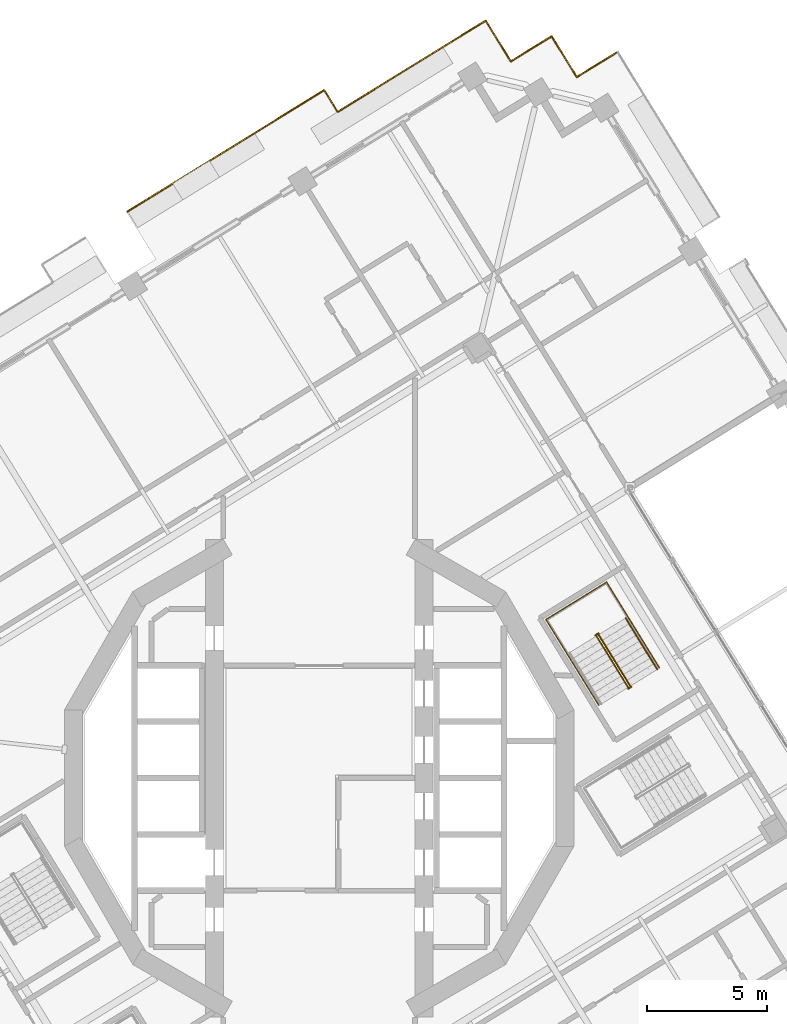
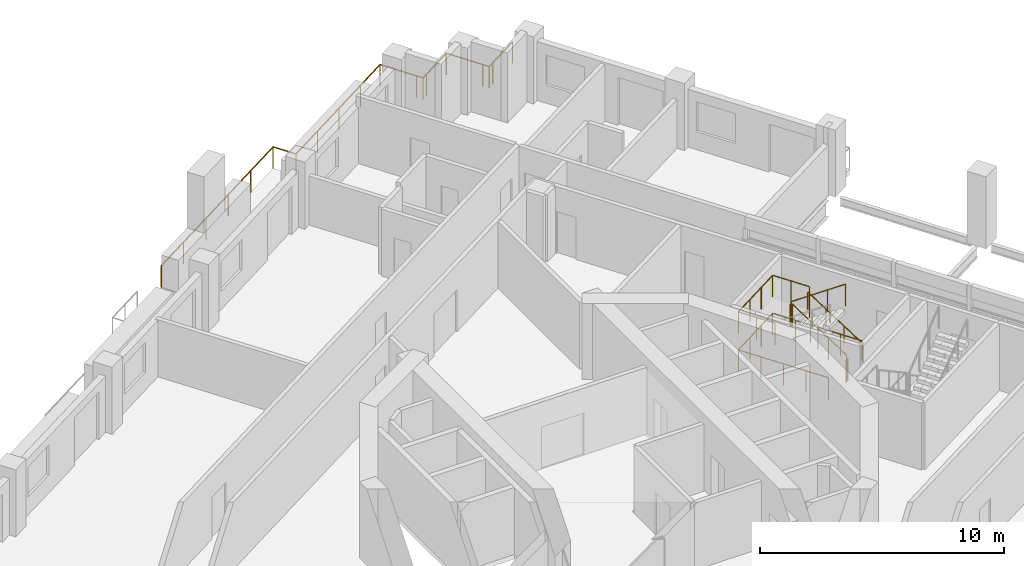
# One storey, part 19 of 21: 7 railings.
"""IFC4 building model written with IfcOpenShell, lengths in metres."""

import ifcopenshell
import ifcopenshell.guid

model = None  # the IFC model being written
_history = None  # IfcOwnerHistory: only IFC2X3 demands one
_inside = {}  # id of a spatial element -> (the spatial element, [elements in it])
_under = {}  # id of a project, library or spatial element -> (it, [spatial elements below it])
_declared = {}  # id of a project -> (the project, [libraries it declares])
_typed = {}  # id of a type object -> (the type object, [elements of that type])
_made_of = {}  # id of a material, layer set ... -> (it, [elements and type objects made of it])


def new_model(schema):
    """Start an empty IFC model of exactly this schema.

    Asked for "IFC4X3", IfcOpenShell would pick the latest addendum, in which some entities
    have other attributes; the version numbers below select the first issue.
    IFC2X3 requires an IfcOwnerHistory on every rooted entity: one is made here for all.
    """
    global model, _history
    if schema == "IFC4X3":
        model = ifcopenshell.file(schema_version=(4, 3, 0, 0))
    else:
        model = ifcopenshell.file(schema=schema)
    _inside.clear()
    _under.clear()
    _declared.clear()
    _typed.clear()
    _made_of.clear()
    _history = None
    if model.schema == "IFC2X3":
        org = make("IfcOrganization", Name="unknown")
        user = make(
            "IfcPersonAndOrganization",
            ThePerson=make("IfcPerson", FamilyName="unknown"),
            TheOrganization=org,
        )
        app = make(
            "IfcApplication",
            ApplicationDeveloper=org,
            Version="unknown",
            ApplicationFullName="unknown",
            ApplicationIdentifier="unknown",
        )
        _history = make(
            "IfcOwnerHistory",
            OwningUser=user,
            OwningApplication=app,
            ChangeAction="ADDED",
            CreationDate=0,
        )
    return model


def make(cls, **values):
    """One entity of the class cls with the attributes given. An attribute that is None is left unset."""
    return model.create_entity(
        cls, **{name: value for name, value in values.items() if value is not None}
    )


def rooted(cls, **values):
    """An entity with a GlobalId (a new one), such as an element, a storey or a relation."""
    return make(cls, GlobalId=ifcopenshell.guid.new(), OwnerHistory=_history, **values)


def si_unit(unit_type, name, prefix=None):
    """IfcSIUnit, for example si_unit("LENGTHUNIT", "METRE", prefix="MILLI")."""
    return make("IfcSIUnit", UnitType=unit_type, Prefix=prefix, Name=name)


def assignment(units):
    """IfcUnitAssignment: the units of a project."""
    return None if units is None else make("IfcUnitAssignment", Units=units)


def point(xyz):
    """IfcCartesianPoint."""
    return None if xyz is None else make("IfcCartesianPoint", Coordinates=xyz)


def direction(xyz):
    """IfcDirection."""
    return None if xyz is None else make("IfcDirection", DirectionRatios=xyz)


def frame(location, z_axis=None, x_axis=None):
    """IfcAxis2Placement3D, a coordinate frame: its origin and axes. An axis left out is left unset."""
    return make(
        "IfcAxis2Placement3D",
        Location=point(location),
        Axis=direction(z_axis),
        RefDirection=direction(x_axis),
    )


def frame_2d(location, x_axis=None):
    """IfcAxis2Placement2D, a coordinate frame in the plane: its origin and x axis."""
    return make(
        "IfcAxis2Placement2D", Location=point(location), RefDirection=direction(x_axis)
    )


def origin():
    """The frame at (0, 0, 0) with its axes left unset."""
    return frame((0.0, 0.0, 0.0))


def origin_2d():
    """The frame at (0, 0) in the plane with its x axis left unset."""
    return frame_2d((0.0, 0.0))


def place(relative_to, where):
    """IfcLocalPlacement: puts the frame where relative to a parent placement (None: the world)."""
    return make(
        "IfcLocalPlacement", PlacementRelTo=relative_to, RelativePlacement=where
    )


def context(
    kind, dimensions, precision=None, world=None, true_north=None, identifier=None
):
    """IfcGeometricRepresentationContext, for example the 3D "Model" context."""
    return make(
        "IfcGeometricRepresentationContext",
        ContextIdentifier=identifier,
        ContextType=kind,
        CoordinateSpaceDimension=dimensions,
        Precision=precision,
        WorldCoordinateSystem=world,
        TrueNorth=true_north,
    )


def subcontext(parent, identifier, kind, view, scale=None):
    """IfcGeometricRepresentationSubContext, for example "Body" below "Model"."""
    return make(
        "IfcGeometricRepresentationSubContext",
        ContextIdentifier=identifier,
        ContextType=kind,
        ParentContext=parent,
        TargetScale=scale,
        TargetView=view,
    )


def project(units=None, contexts=None):
    """IfcProject with its units and contexts."""
    return rooted(
        "IfcProject",
        Name="project",
        RepresentationContexts=contexts,
        UnitsInContext=assignment(units),
    )


def spatial(cls, under=None, at=None, **own):
    """A site, building, storey or space (cls), placed at a placement, below another one or the project."""
    s = rooted(cls, ObjectPlacement=at, **own)
    if under is not None:
        _under.setdefault(under.id(), (under, []))[1].append(s)
    return s


def profile(cls, at=None, kind="AREA", **sizes):
    """A parametric profile (cls). Its sizes go by their IFC names, for example OverallWidth=200.0."""
    return make(cls, ProfileType=kind, Position=at, **sizes)


def circle(**sizes):
    """IfcCircleProfileDef."""
    return profile("IfcCircleProfileDef", **sizes)


def extrude(swept, where, along, depth):
    """IfcExtrudedAreaSolid: the profile swept, set in the frame where, extruded along a direction by depth."""
    return make(
        "IfcExtrudedAreaSolid",
        SweptArea=swept,
        Position=where,
        ExtrudedDirection=direction(along),
        Depth=depth,
    )


def shape(context_of_items, identifier, shape_type, items):
    """IfcShapeRepresentation: the items that make up one representation, for example the "Body"."""
    return make(
        "IfcShapeRepresentation",
        ContextOfItems=context_of_items,
        RepresentationIdentifier=identifier,
        RepresentationType=shape_type,
        Items=items,
    )


def material(Name=None, Category=None):
    """IfcMaterial."""
    return make("IfcMaterial", Name=Name, Category=Category)


def made_of(thing, what):
    """Note that an element or type object is made of a material, layer set ...; save() writes the relation."""
    if what is not None:
        _made_of.setdefault(what.id(), (what, []))[1].append(thing)
    return thing


def type_object(cls, material=None, **own):
    """A type object (cls), such as IfcWallType, which elements share."""
    return made_of(rooted(cls, **own), material)


def element(
    cls,
    number,
    at=None,
    inside=None,
    cuts=None,
    type_object=None,
    material=None,
    context=None,
    identifier="Body",
    shape_type=None,
    held_by="IfcProductDefinitionShape",
    body=None,
    shapes=None,
    **own,
):
    """One element of the class cls, such as IfcWall. Its Tag is "e" and its number.

    at: its placement. inside: the storey or other place that contains it. cuts: it is an
    opening in that element (IfcRelVoidsElement). A single representation is given by context,
    identifier, shape_type and body (its items); several are given by shapes. held_by: the class
    of the entity that holds the representations. save() writes the other relations.
    """
    e = rooted(cls, Tag="e%d" % number, ObjectPlacement=at, **own)
    if body is not None:
        shapes = [shape(context, identifier, shape_type, body)]
    if shapes is not None:
        e.Representation = make(held_by, Representations=shapes)
    if inside is not None:
        _inside.setdefault(inside.id(), (inside, []))[1].append(e)
    if cuts is not None:
        rooted(
            "IfcRelVoidsElement", RelatingBuildingElement=cuts, RelatedOpeningElement=e
        )
    if type_object is not None:
        _typed.setdefault(type_object.id(), (type_object, []))[1].append(e)
    return made_of(e, material)


def aggregate(whole, parts):
    """IfcRelAggregates: a whole, such as a stair, and the parts it consists of."""
    return rooted("IfcRelAggregates", RelatingObject=whole, RelatedObjects=parts)


def save(model, path):
    """Write the relations noted so far, then the file.

    IfcRelAggregates (storeys below a building ...), IfcRelContainedInSpatialStructure (elements
    in a storey), IfcRelDefinesByType, IfcRelAssociatesMaterial and IfcRelDeclares: one each for
    every whole, place, type object, material and project.
    """
    for whole, parts in _under.values():
        aggregate(whole, parts)
    for where, things in _inside.values():
        rooted(
            "IfcRelContainedInSpatialStructure",
            RelatedElements=things,
            RelatingStructure=where,
        )
    for kind, things in _typed.values():
        rooted("IfcRelDefinesByType", RelatedObjects=things, RelatingType=kind)
    for what, things in _made_of.values():
        rooted("IfcRelAssociatesMaterial", RelatedObjects=things, RelatingMaterial=what)
    for by, libraries in _declared.values():
        rooted("IfcRelDeclares", RelatingContext=by, RelatedDefinitions=libraries)
    model.write(path)


model = new_model("IFC4")

# Units and contexts
model_context = context("Model", 3, precision=1e-05, world=origin(), true_north=direction((0.0, 1.0)))
body_context = subcontext(model_context, "Body", "Model", "MODEL_VIEW")
ifc_project = project(units=[si_unit("LENGTHUNIT", "METRE"), si_unit("AREAUNIT", "SQUARE_METRE"), si_unit("VOLUMEUNIT", "CUBIC_METRE"), si_unit("PLANEANGLEUNIT", "RADIAN"), si_unit("MASSUNIT", "GRAM", prefix="KILO")], contexts=[model_context])

# Site, building, storey
site_placement = place(None, origin())
site = spatial("IfcSite", under=ifc_project, at=site_placement, CompositionType="ELEMENT")
building_placement = place(site_placement, origin())
building = spatial("IfcBuilding", under=site, at=building_placement, Name="Cantera Rosa Tower", CompositionType="ELEMENT")
storey_placement = place(building_placement, frame((0.0, 0.0, 185.60009765625)))
storey = spatial("IfcBuildingStorey", under=building, at=storey_placement, Name="L41", CompositionType="ELEMENT", Elevation=185.60009765625)

# Railings
ifc_material_1 = material(Name="Stainless steel and laminated glass", Category="steel")
railing_type_1 = type_object("IfcRailingType", Name="GUARD 1100", PredefinedType="BALUSTRADE", material=ifc_material_1)
railing_1_placement = place(storey_placement, frame((-8.00830078125, 23.63134765625, 0.0)))
element("IfcRailing", 1, at=railing_1_placement, inside=storey, type_object=railing_type_1, Name="GUARD L41-12", PredefinedType="BALUSTRADE", context=body_context, shape_type="SweptSolid", body=[
    extrude(circle(Radius=0.030029296875, at=origin_2d()), frame((0.0, 0.0, 1.070068359375), z_axis=(0.851117969212, 0.524974477936, 0.0), x_axis=(-0.524974477936, 0.851117969212, 0.0)), (0.0, 0.0, 1.0), 9.6572265625),
    extrude(circle(Radius=0.030029296875, at=origin_2d()), frame((8.219482421875, 5.06982421875, 1.070068359375), z_axis=(0.525054443661, -0.851068640705, 0.0), x_axis=(0.851068640705, 0.525054443661, 0.0)), (0.0, 0.0, 1.0), 1.067138671875),
    extrude(circle(Radius=0.030029296875, at=origin_2d()), frame((8.77978515625, 4.16162109375, 1.070068359375), z_axis=(0.851120447986, 0.524970459188, 0.0), x_axis=(-0.524970459188, 0.851120447986, 0.0)), (0.0, 0.0, 1.0), 5.552734375),
    extrude(circle(Radius=0.030029296875, at=origin_2d()), frame((13.505859375, 7.07666015625, 1.070068359375), z_axis=(0.851130227454, 0.524954603669, 0.0), x_axis=(-0.524954603669, 0.851130227454, 0.0)), (0.0, 0.0, 1.0), 1.699951171875),
    extrude(circle(Radius=0.030029296875, at=origin_2d()), frame((14.95263671875, 7.968994140625, 1.070068359375), z_axis=(0.525058638144, -0.851066052965, 0.0), x_axis=(0.851066052965, 0.525058638144, 0.0)), (0.0, 0.0, 1.0), 1.699951171875),
    extrude(circle(Radius=0.030029296875, at=origin_2d()), frame((15.84521484375, 6.522216796875, 1.070068359375), z_axis=(0.524869051004, -0.85118298814, 0.0), x_axis=(0.85118298814, 0.524869051004, 0.0)), (0.0, 0.0, 1.0), 0.300048828125),
    extrude(circle(Radius=0.030029296875, at=origin_2d()), frame((16.002685546875, 6.266845703125, 1.070068359375), z_axis=(0.85118298814, 0.524869051004, 0.0), x_axis=(-0.524869051004, 0.85118298814, 0.0)), (0.0, 0.0, 1.0), 0.300048828125),
    extrude(circle(Radius=0.030029296875, at=origin_2d()), frame((16.258056640625, 6.42431640625, 1.070068359375), z_axis=(0.851066052965, 0.525058638144, 0.0), x_axis=(-0.525058638144, 0.851066052965, 0.0)), (0.0, 0.0, 1.0), 1.699951171875),
    extrude(circle(Radius=0.030029296875, at=origin_2d()), frame((17.704833984375, 7.31689453125, 1.070068359375), z_axis=(0.524994468487, -0.851105638601, 0.0), x_axis=(0.851105638601, 0.524994468487, 0.0)), (0.0, 0.0, 1.0), 1.7001953125),
    extrude(circle(Radius=0.030029296875, at=origin_2d()), frame((18.597412109375, 5.869873046875, 1.070068359375), z_axis=(0.524869051004, -0.85118298814, 0.0), x_axis=(0.85118298814, 0.524869051004, 0.0)), (0.0, 0.0, 1.0), 0.300048828125),
    extrude(circle(Radius=0.030029296875, at=origin_2d()), frame((18.7548828125, 5.614501953125, 1.070068359375), z_axis=(0.85118298814, 0.524869051004, 0.0), x_axis=(-0.524869051004, 0.85118298814, 0.0)), (0.0, 0.0, 1.0), 0.300048828125),
    extrude(circle(Radius=0.030029296875, at=origin_2d()), frame((19.01025390625, 5.77197265625, 1.070068359375), z_axis=(0.851066052965, 0.525058638144, 0.0), x_axis=(-0.525058638144, 0.851066052965, 0.0)), (0.0, 0.0, 1.0), 1.699951171875),
    extrude(circle(Radius=0.02490234375, at=origin_2d()), origin(), (0.0, 0.0, 1.0), 1.0400390625),
    extrude(circle(Radius=0.02490234375, at=origin_2d()), frame((1.643798828125, 1.013916015625, 0.0)), (0.0, 0.0, 1.0), 1.0400390625),
    extrude(circle(Radius=0.02490234375, at=origin_2d()), frame((3.287841796875, 2.02783203125, 0.0)), (0.0, 0.0, 1.0), 1.0400390625),
    extrude(circle(Radius=0.02490234375, at=origin_2d()), frame((4.931640625, 3.0419921875, 0.0)), (0.0, 0.0, 1.0), 1.0400390625),
    extrude(circle(Radius=0.02490234375, at=origin_2d()), frame((6.57568359375, 4.055908203125, 0.0)), (0.0, 0.0, 1.0), 1.0400390625),
    extrude(circle(Radius=0.02490234375, at=origin_2d()), frame((8.219482421875, 5.06982421875, 0.0)), (0.0, 0.0, 1.0), 1.0400390625),
    extrude(circle(Radius=0.02490234375, at=origin_2d()), frame((8.77978515625, 4.16162109375, 0.0)), (0.0, 0.0, 1.0), 1.0400390625),
    extrude(circle(Radius=0.02490234375, at=origin_2d()), frame((10.355224609375, 5.13330078125, 0.0)), (0.0, 0.0, 1.0), 1.0400390625),
    extrude(circle(Radius=0.02490234375, at=origin_2d()), frame((11.930419921875, 6.10498046875, 0.0)), (0.0, 0.0, 1.0), 1.0400390625),
    extrude(circle(Radius=0.02490234375, at=origin_2d()), frame((13.505859375, 7.07666015625, 0.0)), (0.0, 0.0, 1.0), 1.0400390625),
    extrude(circle(Radius=0.02490234375, at=origin_2d()), frame((14.95263671875, 7.968994140625, 0.0)), (0.0, 0.0, 1.0), 1.0400390625),
    extrude(circle(Radius=0.02490234375, at=origin_2d()), frame((15.84521484375, 6.522216796875, 0.0)), (0.0, 0.0, 1.0), 1.0400390625),
    extrude(circle(Radius=0.02490234375, at=origin_2d()), frame((16.002685546875, 6.266845703125, 0.0)), (0.0, 0.0, 1.0), 1.0400390625),
    extrude(circle(Radius=0.02490234375, at=origin_2d()), frame((16.258056640625, 6.42431640625, 0.0)), (0.0, 0.0, 1.0), 1.0400390625),
    extrude(circle(Radius=0.02490234375, at=origin_2d()), frame((17.704833984375, 7.31689453125, 0.0)), (0.0, 0.0, 1.0), 1.0400390625),
    extrude(circle(Radius=0.02490234375, at=origin_2d()), frame((18.597412109375, 5.869873046875, 0.0)), (0.0, 0.0, 1.0), 1.0400390625),
    extrude(circle(Radius=0.02490234375, at=origin_2d()), frame((18.7548828125, 5.614501953125, 0.0)), (0.0, 0.0, 1.0), 1.0400390625),
    extrude(circle(Radius=0.02490234375, at=origin_2d()), frame((19.01025390625, 5.77197265625, 0.0)), (0.0, 0.0, 1.0), 1.0400390625),
    extrude(circle(Radius=0.02490234375, at=origin_2d()), frame((20.45703125, 6.66455078125, 0.0)), (0.0, 0.0, 1.0), 1.0400390625),
])
ifc_material_2 = material(Name="Steel S355J2 (EN 10025-2)", Category="steel")
railing_type_2 = type_object("IfcRailingType", Name="STAIR GUARD 1100", PredefinedType="GUARDRAIL", material=ifc_material_2)
railing_2_placement = place(storey_placement, frame((12.9765625, 3.834228515625, 0.18994140625)))
element("IfcRailing", 2, at=railing_2_placement, inside=storey, type_object=railing_type_2, Name="L41 ST-31 stair guard 1", PredefinedType="GUARDRAIL", context=body_context, shape_type="SweptSolid", body=[
    extrude(circle(Radius=0.02392578125, at=origin_2d()), frame((0.0, 0.0, 1.076171875), z_axis=(-0.434362572038, 0.70429590169, 0.561512634654), x_axis=(-0.851145618652, -0.524929648476, 0.0)), (0.0, 0.0, 1.0), 3.045166015625),
    extrude(circle(Radius=0.02392578125, at=origin_2d()), frame((-1.32275390625, 2.144775390625, 2.7861328125), z_axis=(-0.073711968402, 0.997279572494, 0.0), x_axis=(-0.997279572494, -0.073711968402, 0.0)), (0.0, 0.0, 1.0), 0.056396484375),
    extrude(circle(Radius=0.02392578125, at=origin_2d()), frame((-1.326904296875, 2.200927734375, 2.7861328125), z_axis=(-0.851546489876, -0.524279100842, 0.0), x_axis=(0.524279100842, -0.851546489876, 0.0)), (0.0, 0.0, 1.0), 0.14990234375),
    extrude(circle(Radius=0.02099609375, at=origin_2d()), origin(), (0.0, 0.0, 1.0), 1.052001953125),
    extrude(circle(Radius=0.02099609375, at=origin_2d()), frame((-0.44091796875, 0.71484375, 0.570068359375)), (0.0, 0.0, 1.0), 1.052001953125),
    extrude(circle(Radius=0.02099609375, at=origin_2d()), frame((-0.8818359375, 1.429931640625, 1.139892578125)), (0.0, 0.0, 1.0), 1.052001953125),
    extrude(circle(Radius=0.02099609375, at=origin_2d()), frame((-1.32275390625, 2.144775390625, 1.7099609375)), (0.0, 0.0, 1.0), 1.052001953125),
    extrude(circle(Radius=0.02099609375, at=origin_2d()), frame((-1.326904296875, 2.200927734375, 1.7099609375)), (0.0, 0.0, 1.0), 1.052001953125),
    extrude(circle(Radius=0.02099609375, at=origin_2d()), frame((-1.45458984375, 2.122314453125, 1.7099609375)), (0.0, 0.0, 1.0), 1.052001953125),
])
railing_3_placement = place(storey_placement, frame((11.5703125, 5.927490234375, 2.08984375)))
element("IfcRailing", 3, at=railing_3_placement, inside=storey, type_object=railing_type_2, Name="L41 ST-31 stair guard 2", PredefinedType="GUARDRAIL", context=body_context, shape_type="SweptSolid", body=[
    extrude(circle(Radius=0.02392578125, at=origin_2d()), frame((0.0, 0.0, 1.076171875), z_axis=(0.434427613125, -0.704271375033, 0.561493080334), x_axis=(0.851102330005, 0.524999832248, 0.0)), (0.0, 0.0, 1.0), 3.04541015625),
    extrude(circle(Radius=0.02099609375, at=origin_2d()), origin(), (0.0, 0.0, 1.0), 1.052001953125),
    extrude(circle(Radius=0.02099609375, at=origin_2d()), frame((0.44091796875, -0.71484375, 0.570068359375)), (0.0, 0.0, 1.0), 1.052001953125),
    extrude(circle(Radius=0.02099609375, at=origin_2d()), frame((0.882080078125, -1.429931640625, 1.139892578125)), (0.0, 0.0, 1.0), 1.052001953125),
    extrude(circle(Radius=0.02099609375, at=origin_2d()), frame((1.322998046875, -2.144775390625, 1.7099609375)), (0.0, 0.0, 1.0), 1.052001953125),
])
railing_4_placement = place(storey_placement, frame((13.025146484375, 3.80517578125, 0.0)))
element("IfcRailing", 4, at=railing_4_placement, inside=storey, type_object=railing_type_2, Name="L41 ST-31 stair guard 3", PredefinedType="GUARDRAIL", context=body_context, shape_type="SweptSolid", body=[
    extrude(circle(Radius=0.02392578125, at=origin_2d()), frame((0.0, 0.0, 1.076171875), z_axis=(-0.851546489876, -0.524279100842, 0.0), x_axis=(0.524279100842, -0.851546489876, 0.0)), (0.0, 0.0, 1.0), 0.14990234375),
    extrude(circle(Radius=0.02099609375, at=origin_2d()), origin(), (0.0, 0.0, 1.0), 1.052001953125),
    extrude(circle(Radius=0.02099609375, at=origin_2d()), frame((-0.127685546875, -0.07861328125, 0.0)), (0.0, 0.0, 1.0), 1.052001953125),
])
railing_5_placement = place(storey_placement, frame((14.192626953125, 4.59814453125, 0.0)))
element("IfcRailing", 5, at=railing_5_placement, inside=storey, type_object=railing_type_2, Name="L41 ST-31 stair guard 4", PredefinedType="GUARDRAIL", context=body_context, shape_type="SweptSolid", body=[
    extrude(circle(Radius=0.02392578125, at=origin_2d()), frame((0.0, 0.0, 1.076171875), z_axis=(-0.524976478809, 0.851116735059, 0.0), x_axis=(-0.851116735059, -0.524976478809, 0.0)), (0.0, 0.0, 1.0), 4.197998046875),
    extrude(circle(Radius=0.02392578125, at=origin_2d()), frame((-2.203857421875, 3.572998046875, 1.076171875), z_axis=(-0.851132917336, -0.524950242429, 0.0), x_axis=(0.524950242429, -0.851132917336, 0.0)), (0.0, 0.0, 1.0), 2.969970703125),
    extrude(circle(Radius=0.02392578125, at=origin_2d()), frame((-4.731689453125, 2.013916015625, 1.076171875), z_axis=(0.524976478809, -0.851116735059, 0.0), x_axis=(0.851116735059, 0.524976478809, 0.0)), (0.0, 0.0, 1.0), 4.197998046875),
    extrude(circle(Radius=0.02099609375, at=origin_2d()), origin(), (0.0, 0.0, 1.0), 1.052001953125),
    extrude(circle(Radius=0.02099609375, at=origin_2d()), frame((-0.551025390625, 0.893310546875, 0.0)), (0.0, 0.0, 1.0), 1.052001953125),
    extrude(circle(Radius=0.02099609375, at=origin_2d()), frame((-1.10205078125, 1.78662109375, 0.0)), (0.0, 0.0, 1.0), 1.052001953125),
    extrude(circle(Radius=0.02099609375, at=origin_2d()), frame((-1.65283203125, 2.6796875, 0.0)), (0.0, 0.0, 1.0), 1.052001953125),
    extrude(circle(Radius=0.02099609375, at=origin_2d()), frame((-2.203857421875, 3.572998046875, 0.0)), (0.0, 0.0, 1.0), 1.052001953125),
    extrude(circle(Radius=0.02099609375, at=origin_2d()), frame((-3.04638671875, 3.05322265625, 0.0)), (0.0, 0.0, 1.0), 1.052001953125),
    extrude(circle(Radius=0.02099609375, at=origin_2d()), frame((-3.88916015625, 2.53369140625, 0.0)), (0.0, 0.0, 1.0), 1.052001953125),
    extrude(circle(Radius=0.02099609375, at=origin_2d()), frame((-4.731689453125, 2.013916015625, 0.0)), (0.0, 0.0, 1.0), 1.052001953125),
    extrude(circle(Radius=0.02099609375, at=origin_2d()), frame((-4.1806640625, 1.12060546875, 0.0)), (0.0, 0.0, 1.0), 1.052001953125),
    extrude(circle(Radius=0.02099609375, at=origin_2d()), frame((-3.6298828125, 0.2275390625, 0.0)), (0.0, 0.0, 1.0), 1.052001953125),
    extrude(circle(Radius=0.02099609375, at=origin_2d()), frame((-3.078857421875, -0.665771484375, 0.0)), (0.0, 0.0, 1.0), 1.052001953125),
    extrude(circle(Radius=0.02099609375, at=origin_2d()), frame((-2.52783203125, -1.55908203125, 0.0)), (0.0, 0.0, 1.0), 1.052001953125),
])
railing_6_placement = place(storey_placement, frame((12.88232421875, 6.72265625, 1.89990234375)))
element("IfcRailing", 6, at=railing_6_placement, inside=storey, type_object=railing_type_2, Name="L41 ST-31 stair guard 5", PredefinedType="GUARDRAIL", context=body_context, shape_type="SweptSolid", body=[
    extrude(circle(Radius=0.02392578125, at=origin_2d()), frame((0.0, 0.0, 1.076171875), z_axis=(-0.525025534833, 0.851086474909, 0.0), x_axis=(-0.851086474909, -0.525025534833, 0.0)), (0.0, 0.0, 1.0), 1.701904296875),
    extrude(circle(Radius=0.02392578125, at=origin_2d()), frame((-0.8935546875, 1.448486328125, 1.076171875), z_axis=(-0.851132917336, -0.524950242429, 0.0), x_axis=(0.524950242429, -0.851132917336, 0.0)), (0.0, 0.0, 1.0), 2.969970703125),
    extrude(circle(Radius=0.02392578125, at=origin_2d()), frame((-3.42138671875, -0.110595703125, 1.076171875), z_axis=(0.524961441845, -0.851126009811, 0.0), x_axis=(0.851126009811, 0.524961441845, 0.0)), (0.0, 0.0, 1.0), 1.7021484375),
    extrude(circle(Radius=0.02099609375, at=origin_2d()), origin(), (0.0, 0.0, 1.0), 1.052001953125),
    extrude(circle(Radius=0.02099609375, at=origin_2d()), frame((-0.44677734375, 0.72412109375, 0.0)), (0.0, 0.0, 1.0), 1.052001953125),
    extrude(circle(Radius=0.02099609375, at=origin_2d()), frame((-0.8935546875, 1.448486328125, 0.0)), (0.0, 0.0, 1.0), 1.052001953125),
    extrude(circle(Radius=0.02099609375, at=origin_2d()), frame((-1.736083984375, 0.9287109375, 0.0)), (0.0, 0.0, 1.0), 1.052001953125),
    extrude(circle(Radius=0.02099609375, at=origin_2d()), frame((-2.578857421875, 0.4091796875, 0.0)), (0.0, 0.0, 1.0), 1.052001953125),
    extrude(circle(Radius=0.02099609375, at=origin_2d()), frame((-3.42138671875, -0.110595703125, 0.0)), (0.0, 0.0, 1.0), 1.052001953125),
    extrude(circle(Radius=0.02099609375, at=origin_2d()), frame((-2.974609375, -0.8349609375, 0.0)), (0.0, 0.0, 1.0), 1.052001953125),
    extrude(circle(Radius=0.02099609375, at=origin_2d()), frame((-2.52783203125, -1.559326171875, 0.0)), (0.0, 0.0, 1.0), 1.052001953125),
])
ifc_material_3 = material(Name="Steel S355J2 (EN 10025-2)", Category="steel")
railing_type_3 = type_object("IfcRailingType", Name="STAIR HANDRAIL 900", PredefinedType="HANDRAIL", material=ifc_material_3)
railing_7_placement = place(storey_placement, frame((14.105224609375, 4.5302734375, 0.18994140625)))
element("IfcRailing", 7, at=railing_7_placement, inside=storey, type_object=railing_type_3, Name="L41 ST-31 stair handrail 1", PredefinedType="HANDRAIL", context=body_context, shape_type="SweptSolid", body=[
    extrude(circle(Radius=0.02392578125, at=origin_2d()), frame((0.0, 0.0, 0.8759765625), z_axis=(-0.434427613125, 0.704271375033, 0.561493080334), x_axis=(-0.851102330005, -0.524999832248, 0.0)), (0.0, 0.0, 1.0), 3.04541015625),
    extrude(circle(Radius=0.02099609375, at=origin_2d()), origin(), (0.0, 0.0, 1.0), 0.851806640625),
    extrude(circle(Radius=0.02099609375, at=origin_2d()), frame((-0.44091796875, 0.71484375, 0.570068359375)), (0.0, 0.0, 1.0), 0.851806640625),
    extrude(circle(Radius=0.02099609375, at=origin_2d()), frame((-0.882080078125, 1.429931640625, 1.139892578125)), (0.0, 0.0, 1.0), 0.851806640625),
    extrude(circle(Radius=0.02099609375, at=origin_2d()), frame((-1.322998046875, 2.144775390625, 1.7099609375)), (0.0, 0.0, 1.0), 0.851806640625),
])

save(model, "model.ifc")
